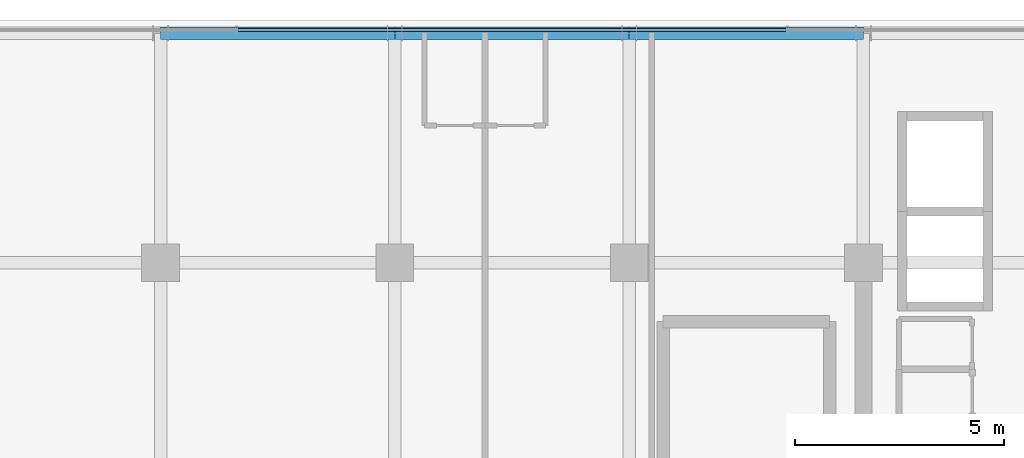
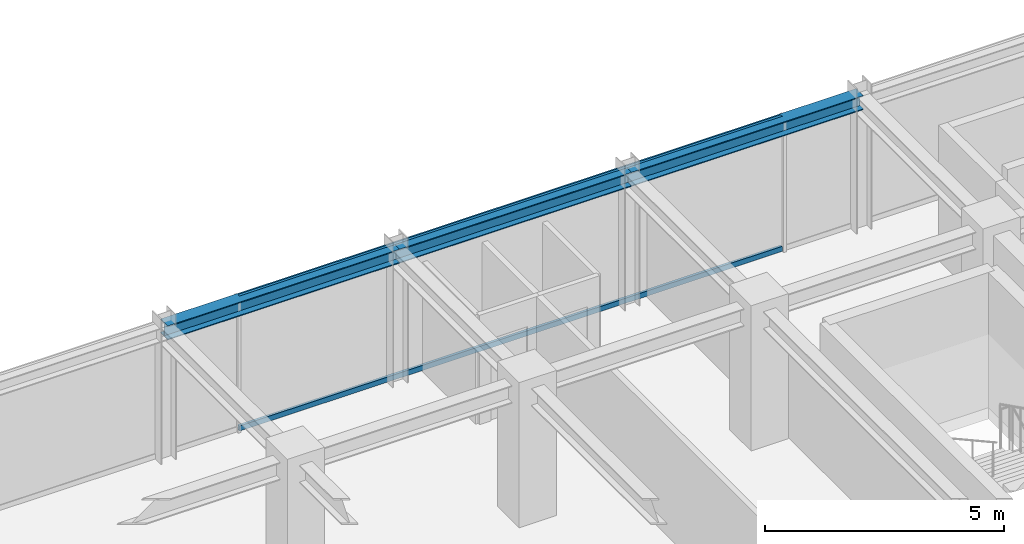
# One storey, part 20 of 33: 3 beams, 2 members, 1 element without a shape of its own.
"""IFC4 building model written with IfcOpenShell, lengths in metres."""

from ifc_helpers import new_model, si_unit, direction, frame, origin, origin_2d, place, context, subcontext, project, spatial, hollow_rectangle, i_section, extrude, source, transform, mapped, material, material_profile, profile_set, type_object, element, aggregate, save


model = new_model("IFC4")

# Units and contexts
model_context = context("Model", 3, precision=1e-05, world=origin(), true_north=direction((0.0, 1.0)))
body_context = subcontext(model_context, "Body", "Model", "MODEL_VIEW")
ifc_project = project(units=[si_unit("LENGTHUNIT", "METRE"), si_unit("AREAUNIT", "SQUARE_METRE"), si_unit("VOLUMEUNIT", "CUBIC_METRE"), si_unit("PLANEANGLEUNIT", "RADIAN"), si_unit("MASSUNIT", "GRAM", prefix="KILO")], contexts=[model_context])

# Site, building, storey
site_placement = place(None, origin())
site = spatial("IfcSite", under=ifc_project, at=site_placement, CompositionType="ELEMENT")
building_placement = place(site_placement, origin())
building = spatial("IfcBuilding", under=site, at=building_placement, Name="Nahalor Promenade Grand Hotel", CompositionType="ELEMENT")
storey_placement = place(building_placement, frame((0.0, 0.0, 270.050048828125)))
storey = spatial("IfcBuildingStorey", under=building, at=storey_placement, Name="L69", CompositionType="ELEMENT", Elevation=270.050048828125)

# Beams
ifc_material_1 = material(Name="Steel S355JR", Category="steel")
ifc_material_profile_1 = material_profile(ifc_material_1, i_section(OverallWidth=0.3, OverallDepth=0.36, WebThickness=0.0125, FlangeThickness=0.0225, at=origin_2d()), Name="HEB 360")
ifc_profile_set_1 = profile_set([ifc_material_profile_1], Name="Steel S355JR")
beam_type = type_object("IfcBeamType", Name="Beam-Spandrel-HEB360", PredefinedType="SPANDREL", material=ifc_profile_set_1)
shared_shape_1 = source(origin(), body_context, "Body", "SweptSolid", [
    extrude(i_section(OverallWidth=0.3, OverallDepth=0.36, WebThickness=0.0125, FlangeThickness=0.0225, at=origin_2d()), origin(), (0.0, 0.0, 1.0), 5.599853515625),
])
for number, where, z_axis, x_axis, name in (
    (1, (-8.39990234375, 22.47998046875, 3.27001953125), (1.0, 0.0, 0.0), (0.0, 1.0, 0.0), "BM-L69-SP-N-1"),
    (2, (2.800048828125, 22.47998046875, 3.27001953125), (1.0, 0.0, 0.0), (0.0, 1.0, 0.0), "BM-L69-SP-N-3"),
):
    element("IfcBeam", number, at=place(storey_placement, frame(where, z_axis=z_axis, x_axis=x_axis)), inside=storey, type_object=beam_type, Name=name, PredefinedType="SPANDREL", context=body_context, shape_type="MappedRepresentation", body=[
        mapped(shared_shape_1, transform((0.0, 0.0, 0.0), scale=1.0)),
    ])
shared_shape_2 = source(origin(), body_context, "Body", "SweptSolid", [
    extrude(i_section(OverallWidth=0.3, OverallDepth=0.36, WebThickness=0.0125, FlangeThickness=0.0225, at=origin_2d()), origin(), (0.0, 0.0, 1.0), 5.60009765625),
])
beam_placement = place(storey_placement, frame((-2.800048828125, 22.47998046875, 3.27001953125), z_axis=(1.0, 0.0, 0.0), x_axis=(0.0, 1.0, 0.0)))
element("IfcBeam", 3, at=beam_placement, inside=storey, type_object=beam_type, Name="BM-L69-SP-N-2", PredefinedType="SPANDREL", context=body_context, shape_type="MappedRepresentation", body=[
    mapped(shared_shape_2, transform((0.0, 0.0, 0.0), scale=1.0)),
])

# Curtain wall, members
ifc_material_2 = material(Name="Anodised Bronze Aluminium EN AW-6063 T6", Category="aluminium")
curtain_wall_type = type_object("IfcCurtainWallType", Name="CW2 Typical Hotel Flush Bronze Unitised Curtain Wall", PredefinedType="USERDEFINED", material=ifc_material_2)
curtain_wall_placement = place(storey_placement, origin())
curtain_wall = element("IfcCurtainWall", 4, at=curtain_wall_placement, inside=storey, type_object=curtain_wall_type, Name="L69 Curtain Wall CW-L69-N-1", ObjectType="UNITISED_CURTAIN_WALL", PredefinedType="USERDEFINED")
ifc_material_profile_2 = material_profile(ifc_material_2, hollow_rectangle(XDim=0.065, YDim=0.13, WallThickness=0.004, at=origin_2d()), Name="CWT 65x130x4")
ifc_profile_set_2 = profile_set([ifc_material_profile_2], Name="Anodised Bronze Aluminium EN AW-6063 T6")
member_type = type_object("IfcMemberType", Name="CWT2 Typical Bronze Transom 65x130", PredefinedType="USERDEFINED", material=ifc_profile_set_2)
shared_shape_3 = source(origin(), body_context, "Body", "SweptSolid", [
    extrude(hollow_rectangle(XDim=0.065, YDim=0.13, WallThickness=0.004, at=origin_2d()), origin(), (0.0, 0.0, 1.0), 13.1083984375),
])
member_1_placement = place(storey_placement, frame((-6.55419921875, 22.56005859375, 0.06494140625), z_axis=(1.0, 0.0, 0.0), x_axis=(0.0, 1.0, 0.0)))
member_1 = element("IfcMember", 5, at=member_1_placement, type_object=member_type, Name="CW-L69-N-1 Transom 1-0", ObjectType="TRANSOM", PredefinedType="USERDEFINED", context=body_context, shape_type="MappedRepresentation", body=[
    mapped(shared_shape_3, transform((0.0, 0.0, 0.0), scale=1.0)),
])
member_2_placement = place(storey_placement, frame((-6.55419921875, 22.56005859375, 3.385009765625), z_axis=(1.0, 0.0, 0.0), x_axis=(0.0, 1.0, 0.0)))
member_2 = element("IfcMember", 6, at=member_2_placement, type_object=member_type, Name="CW-L69-N-1 Transom 1-1", ObjectType="TRANSOM", PredefinedType="USERDEFINED", context=body_context, shape_type="MappedRepresentation", body=[
    mapped(shared_shape_3, transform((0.0, 0.0, 0.0), scale=1.0)),
])
aggregate(curtain_wall, [member_1, member_2])

save(model, "model.ifc")
